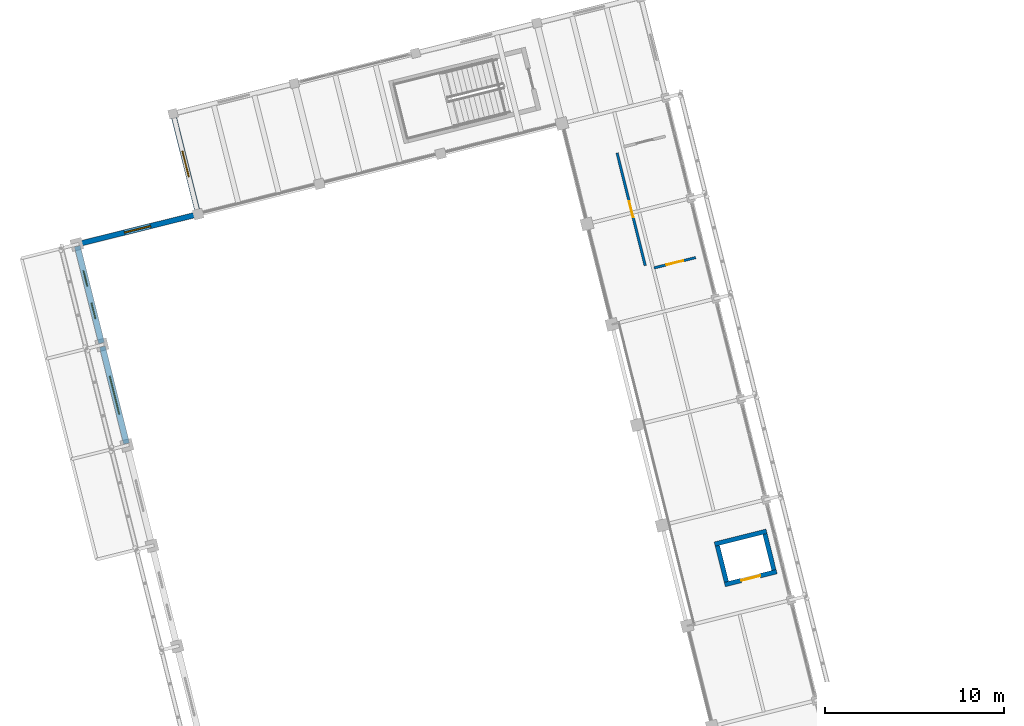
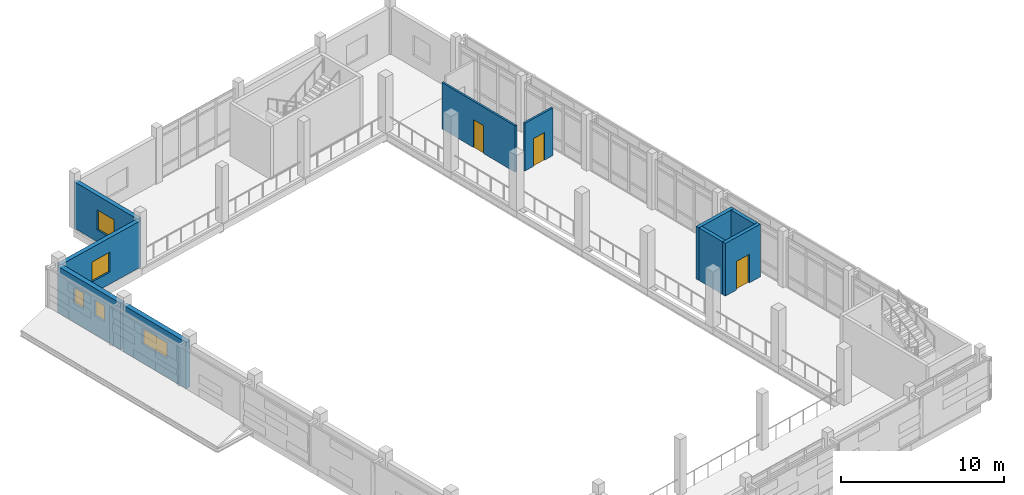
# One storey, part 106 of 137: 10 walls, 5 windows, 3 doors, 8 openings.
"""IFC4 building model written with IfcOpenShell, lengths in metres."""

from ifc_helpers import new_model, si_unit, direction, frame, frame_2d, origin, place, context, subcontext, project, spatial, rectangle, extrude, material, layer, layer_set, type_object, element, fill, save


model = new_model("IFC4")

# Units and contexts
model_context = context("Model", 3, precision=1e-05, world=origin(), true_north=direction((0.0, 1.0)))
body_context = subcontext(model_context, "Body", "Model", "MODEL_VIEW")
ifc_project = project(units=[si_unit("LENGTHUNIT", "METRE"), si_unit("AREAUNIT", "SQUARE_METRE"), si_unit("VOLUMEUNIT", "CUBIC_METRE"), si_unit("PLANEANGLEUNIT", "RADIAN"), si_unit("MASSUNIT", "GRAM", prefix="KILO")], contexts=[model_context])

# Site, building, storey
site_placement = place(None, origin())
site = spatial("IfcSite", under=ifc_project, at=site_placement, CompositionType="ELEMENT")
building_placement = place(site_placement, origin())
building = spatial("IfcBuilding", under=site, at=building_placement, Name="Cinderway Yard Community Centre", CompositionType="ELEMENT")
storey_placement = place(building_placement, frame((0.0, 0.0, 4.800048828125)))
storey = spatial("IfcBuildingStorey", under=building, at=storey_placement, Name="L01", CompositionType="ELEMENT", Elevation=4.800048828125)

# Wall, opening, window
ifc_material_1 = material(Name="Brick Masonry", Category="masonry")
ifc_layer_1 = layer(ifc_material_1, 0.300048828125, Name="Brick Masonry")
ifc_layer_set_1 = layer_set([ifc_layer_1], Name="Brick Masonry")
wall_type_1 = type_object("IfcWallType", Name="ENV-WAL-EXT300", PredefinedType="SOLIDWALL", material=ifc_layer_set_1)
wall_1_placement = place(storey_placement, frame((10.06494140625, 64.530029296875, 0.0), z_axis=(0.0, 0.0, 1.0), x_axis=(0.97027883487, 0.241989633258, 0.0)))
wall_1 = element("IfcWall", 1, at=wall_1_placement, inside=storey, type_object=wall_type_1, Name="Main Hall NW Return ENV-WAL-L01-0030", PredefinedType="SOLIDWALL", context=body_context, shape_type="SweptSolid", body=[
    extrude(rectangle(XDim=6.83935546875, YDim=0.300048828125, at=frame_2d((3.419677734375, 0.0))), origin(), (0.0, 0.0, 1.0), 3.48486328125),
])
opening_1_placement = place(wall_1_placement, frame((2.669921875, 0.0, 0.89990234375)))
opening_1 = element("IfcOpeningElement", 2, at=opening_1_placement, cuts=wall_1, Name="Opening W-02", PredefinedType="OPENING", context=body_context, shape_type="SweptSolid", body=[
    extrude(rectangle(XDim=1.5, YDim=1.5, at=frame_2d((0.75, 0.75))), frame((0.0, 0.159912109375, 0.0), z_axis=(0.0, -1.0, 0.0), x_axis=(1.0, 0.0, 0.0)), (0.0, 0.0, 1.0), 0.320068359375),
])
ifc_material_2 = material(Name="Laminated Low-E Glass", Category="glass")
window_type_1 = type_object("IfcWindowType", Name="ENV-WIN-W02", PartitioningType="DOUBLE_PANEL_VERTICAL", PredefinedType="WINDOW", material=ifc_material_2)
window_1_placement = place(opening_1_placement, origin())
window_1 = element("IfcWindow", 3, at=window_1_placement, inside=storey, type_object=window_type_1, Name="Exterior window ENV-WIN-L01-0015", OverallHeight=1.5, OverallWidth=1.5, PartitioningType="SINGLE_PANEL", PredefinedType="WINDOW", context=body_context, shape_type="SweptSolid", body=[
    extrude(rectangle(XDim=1.5, YDim=1.5, at=frame_2d((0.75, 0.75))), frame((0.0, 0.030029296875, 0.0), z_axis=(0.0, -1.0, 0.0), x_axis=(1.0, 0.0, 0.0)), (0.0, 0.0, 1.0), 0.06005859375),
])
fill(opening_1, window_1)

wall_2_placement = place(storey_placement, frame((16.760009765625, 66.281982421875, 0.0), z_axis=(0.0, 0.0, 1.0), x_axis=(-0.242036480393, 0.970267149892, 0.0)))
wall_2 = element("IfcWall", 4, at=wall_2_placement, inside=storey, type_object=wall_type_1, Name="Stage West Wall ENV-WAL-L01-0031", PredefinedType="SOLIDWALL", context=body_context, shape_type="SweptSolid", body=[
    extrude(rectangle(XDim=5.6396484375, YDim=0.300048828125, at=frame_2d((2.81982421875, 0.0))), origin(), (0.0, 0.0, 1.0), 3.494873046875),
])
opening_2_placement = place(wall_2_placement, frame((2.070068359375, 0.0, 0.89990234375)))
opening_2 = element("IfcOpeningElement", 5, at=opening_2_placement, cuts=wall_2, Name="Opening W-02", PredefinedType="OPENING", context=body_context, shape_type="SweptSolid", body=[
    extrude(rectangle(XDim=1.5, YDim=1.5, at=frame_2d((0.75, 0.75))), frame((0.0, 0.159912109375, 0.0), z_axis=(0.0, -1.0, 0.0), x_axis=(1.0, 0.0, 0.0)), (0.0, 0.0, 1.0), 0.320068359375),
])
window_2_placement = place(opening_2_placement, origin())
window_2 = element("IfcWindow", 6, at=window_2_placement, inside=storey, type_object=window_type_1, Name="Exterior window ENV-WIN-L01-0016", OverallHeight=1.5, OverallWidth=1.5, PartitioningType="SINGLE_PANEL", PredefinedType="WINDOW", context=body_context, shape_type="SweptSolid", body=[
    extrude(rectangle(XDim=1.5, YDim=1.5, at=frame_2d((0.75, 0.75))), frame((0.0, 0.030029296875, 0.0), z_axis=(0.0, -1.0, 0.0), x_axis=(1.0, 0.0, 0.0)), (0.0, 0.0, 1.0), 0.06005859375),
])
fill(opening_2, window_2)

ifc_layer_2 = layer(ifc_material_1, 0.340087890625, Name="Brick Masonry")
ifc_layer_set_2 = layer_set([ifc_layer_2], Name="Brick Masonry")
wall_type_2 = type_object("IfcWallType", Name="ENV-WAL-EXT340", PredefinedType="SOLIDWALL", material=ifc_layer_set_2)
wall_3_placement = place(storey_placement, frame((12.77001953125, 53.35205078125, 0.0), z_axis=(0.0, 0.0, 1.0), x_axis=(-0.241950898373, 0.970288494612, 0.0)))
wall_3 = element("IfcWall", 7, at=wall_3_placement, inside=storey, type_object=wall_type_2, Name="Main Hall West Brick Wall ENV-WAL-L01-0024", PredefinedType="SOLIDWALL", context=body_context, shape_type="SweptSolid", body=[
    extrude(rectangle(XDim=5.600341796875, YDim=0.340087890625, at=frame_2d((2.80029296875, 0.0))), origin(), (0.0, 0.0, 1.0), 3.48486328125),
])
opening_3_placement = place(wall_3_placement, frame((1.699951171875, 0.0, 1.39990234375)))
opening_3 = element("IfcOpeningElement", 8, at=opening_3_placement, cuts=wall_3, Name="Opening W-22", PredefinedType="OPENING", context=body_context, shape_type="SweptSolid", body=[
    extrude(rectangle(XDim=2.199951171875, YDim=1.199951171875, at=frame_2d((1.10009765625, 0.60009765625))), frame((0.0, 0.179931640625, 0.0), z_axis=(0.0, -1.0, 0.0), x_axis=(1.0, 0.0, 0.0)), (0.0, 0.0, 1.0), 0.360107421875),
])
window_type_2 = type_object("IfcWindowType", Name="ENV-WIN-W22", PartitioningType="DOUBLE_PANEL_VERTICAL", PredefinedType="WINDOW", material=ifc_material_2)
window_3_placement = place(opening_3_placement, origin())
window_3 = element("IfcWindow", 9, at=window_3_placement, inside=storey, type_object=window_type_2, Name="Exterior window ENV-WIN-L01-0008", OverallHeight=1.199951171875, OverallWidth=2.199951171875, PartitioningType="SINGLE_PANEL", PredefinedType="WINDOW", context=body_context, shape_type="SweptSolid", body=[
    extrude(rectangle(XDim=2.199951171875, YDim=1.199951171875, at=frame_2d((1.10009765625, 0.60009765625))), frame((0.0, 0.030029296875, 0.0), z_axis=(0.0, -1.0, 0.0), x_axis=(1.0, 0.0, 0.0)), (0.0, 0.0, 1.0), 0.06005859375),
])
fill(opening_3, window_3)

# Wall, openings, windows
wall_4_placement = place(storey_placement, frame((11.365966796875, 58.97998046875, 0.0), z_axis=(0.0, 0.0, 1.0), x_axis=(-0.24177648925, 0.970331968579, 0.0)))
wall_4 = element("IfcWall", 10, at=wall_4_placement, inside=storey, type_object=wall_type_2, Name="Main Hall West Brick Wall ENV-WAL-L01-0025", PredefinedType="SOLIDWALL", context=body_context, shape_type="SweptSolid", body=[
    extrude(rectangle(XDim=5.600341796875, YDim=0.340087890625, at=frame_2d((2.80029296875, 0.0))), origin(), (0.0, 0.0, 1.0), 3.48486328125),
])
opening_4_placement = place(wall_4_placement, frame((1.4169921875, 0.0, 1.39990234375)))
opening_4 = element("IfcOpeningElement", 11, at=opening_4_placement, cuts=wall_4, Name="Opening W-19", PredefinedType="OPENING", context=body_context, shape_type="SweptSolid", body=[
    extrude(rectangle(XDim=0.89990234375, YDim=1.199951171875, at=frame_2d((0.449951171875, 0.60009765625))), frame((0.0, 0.179931640625, 0.0), z_axis=(0.0, -1.0, 0.0), x_axis=(1.0, 0.0, 0.0)), (0.0, 0.0, 1.0), 0.360107421875),
])
opening_5_placement = place(wall_4_placement, frame((3.282958984375, 0.0, 1.39990234375)))
opening_5 = element("IfcOpeningElement", 12, at=opening_5_placement, cuts=wall_4, Name="Opening W-19", PredefinedType="OPENING", context=body_context, shape_type="SweptSolid", body=[
    extrude(rectangle(XDim=0.89990234375, YDim=1.199951171875, at=frame_2d((0.449951171875, 0.60009765625))), frame((0.0, 0.179931640625, 0.0), z_axis=(0.0, -1.0, 0.0), x_axis=(1.0, 0.0, 0.0)), (0.0, 0.0, 1.0), 0.360107421875),
])
window_type_3 = type_object("IfcWindowType", Name="ENV-WIN-W19", PartitioningType="SINGLE_PANEL", PredefinedType="WINDOW", material=ifc_material_2)
window_4_placement = place(opening_4_placement, origin())
window_4 = element("IfcWindow", 13, at=window_4_placement, inside=storey, type_object=window_type_3, Name="Exterior window ENV-WIN-L01-0009", OverallHeight=1.199951171875, OverallWidth=0.89990234375, PartitioningType="SINGLE_PANEL", PredefinedType="WINDOW", context=body_context, shape_type="SweptSolid", body=[
    extrude(rectangle(XDim=0.89990234375, YDim=1.199951171875, at=frame_2d((0.449951171875, 0.60009765625))), frame((0.0, 0.030029296875, 0.0), z_axis=(0.0, -1.0, 0.0), x_axis=(1.0, 0.0, 0.0)), (0.0, 0.0, 1.0), 0.06005859375),
])
fill(opening_4, window_4)
window_5_placement = place(opening_5_placement, origin())
window_5 = element("IfcWindow", 14, at=window_5_placement, inside=storey, type_object=window_type_3, Name="Exterior window ENV-WIN-L01-0010", OverallHeight=1.199951171875, OverallWidth=0.89990234375, PartitioningType="SINGLE_PANEL", PredefinedType="WINDOW", context=body_context, shape_type="SweptSolid", body=[
    extrude(rectangle(XDim=0.89990234375, YDim=1.199951171875, at=frame_2d((0.449951171875, 0.60009765625))), frame((0.0, 0.030029296875, 0.0), z_axis=(0.0, -1.0, 0.0), x_axis=(1.0, 0.0, 0.0)), (0.0, 0.0, 1.0), 0.06005859375),
])
fill(opening_5, window_5)

# Wall, opening, door
ifc_material_3 = material(Name="Gypsum Board Partition", Category="gypsum")
ifc_layer_3 = layer(ifc_material_3, 0.139892578125, Name="Gypsum Board Partition")
ifc_layer_set_3 = layer_set([ifc_layer_3], Name="Gypsum Board Partition")
wall_type_3 = type_object("IfcWallType", Name="INT-WAL-PRT140", PredefinedType="PARTITIONING", material=ifc_layer_set_3)
wall_5_placement = place(storey_placement, frame((41.819091796875, 63.326904296875, 0.0), z_axis=(0.0, 0.0, 1.0), x_axis=(-0.241881495727, 0.970305798202, 0.0)))
wall_5 = element("IfcWall", 15, at=wall_5_placement, inside=storey, type_object=wall_type_3, Name="V1 Upper WC Spine INT-PRT-L01-0243", PredefinedType="PARTITIONING", context=body_context, shape_type="SweptSolid", body=[
    extrude(rectangle(XDim=6.4990234375, YDim=0.139892578125, at=frame_2d((3.24951171875, 0.0))), origin(), (0.0, 0.0, 1.0), 3.48486328125),
])
opening_6_placement = place(wall_5_placement, frame((2.7890625, 0.0, 0.0)))
opening_6 = element("IfcOpeningElement", 16, at=opening_6_placement, cuts=wall_5, Name="Opening D-08", PredefinedType="OPENING", context=body_context, shape_type="SweptSolid", body=[
    extrude(rectangle(XDim=0.919921875, YDim=2.10009765625, at=frame_2d((0.4599609375, 1.050048828125))), frame((0.0, 0.079833984375, 0.0), z_axis=(0.0, -1.0, 0.0), x_axis=(1.0, 0.0, 0.0)), (0.0, 0.0, 1.0), 0.159912109375),
])
ifc_material_4 = material(Name="Hardwood Timber", Category="wood")
door_type_1 = type_object("IfcDoorType", Name="INT-DOR-OFF092", OperationType="NOTDEFINED", PredefinedType="DOOR", material=ifc_material_4)
door_1_placement = place(opening_6_placement, origin())
door_1 = element("IfcDoor", 17, at=door_1_placement, inside=storey, type_object=door_type_1, Name="Room door INT-DOR-L01-0154", OperationType="SINGLE_SWING_RIGHT", OverallHeight=2.10009765625, OverallWidth=0.919921875, PredefinedType="DOOR", context=body_context, shape_type="SweptSolid", body=[
    extrude(rectangle(XDim=0.919921875, YDim=2.10009765625, at=frame_2d((0.4599609375, 1.050048828125))), frame((0.0, 0.02490234375, 0.0), z_axis=(0.0, -1.0, 0.0), x_axis=(1.0, 0.0, 0.0)), (0.0, 0.0, 1.0), 0.050048828125),
])
fill(opening_6, door_1)

wall_6_placement = place(storey_placement, frame((42.31689453125, 63.193115234375, 0.0), z_axis=(0.0, 0.0, 1.0), x_axis=(0.970357603284, 0.24167358513, 0.0)))
wall_6 = element("IfcWall", 18, at=wall_6_placement, inside=storey, type_object=wall_type_3, Name="V1 Gallery Sanitary Partition INT-PRT-L01-0244", PredefinedType="PARTITIONING", context=body_context, shape_type="SweptSolid", body=[
    extrude(rectangle(XDim=2.399169921875, YDim=0.139892578125, at=frame_2d((1.19970703125, 0.0))), origin(), (0.0, 0.0, 1.0), 3.5869140625),
])
opening_7_placement = place(wall_6_placement, frame((0.719970703125, 0.0, 0.0)))
opening_7 = element("IfcOpeningElement", 19, at=opening_7_placement, cuts=wall_6, Name="Opening D-09", PredefinedType="OPENING", context=body_context, shape_type="SweptSolid", body=[
    extrude(rectangle(XDim=0.9599609375, YDim=2.080078125, at=frame_2d((0.47998046875, 1.0400390625))), frame((0.0, 0.079833984375, 0.0), z_axis=(0.0, -1.0, 0.0), x_axis=(1.0, 0.0, 0.0)), (0.0, 0.0, 1.0), 0.159912109375),
])
door_type_2 = type_object("IfcDoorType", Name="INT-DOR-SAN096", OperationType="NOTDEFINED", PredefinedType="DOOR", material=ifc_material_4)
door_2_placement = place(opening_7_placement, origin())
door_2 = element("IfcDoor", 20, at=door_2_placement, inside=storey, type_object=door_type_2, Name="Room door INT-DOR-L01-0155", OperationType="SINGLE_SWING_LEFT", OverallHeight=2.080078125, OverallWidth=0.9599609375, PredefinedType="DOOR", context=body_context, shape_type="SweptSolid", body=[
    extrude(rectangle(XDim=0.9599609375, YDim=2.080078125, at=frame_2d((0.47998046875, 1.0400390625))), frame((0.0, 0.02490234375, 0.0), z_axis=(0.0, -1.0, 0.0), x_axis=(1.0, 0.0, 0.0)), (0.0, 0.0, 1.0), 0.050048828125),
])
fill(opening_7, door_2)

ifc_material_5 = material(Name="Concrete C40/50", Category="concrete")
ifc_layer_4 = layer(ifc_material_5, 0.25, Name="Concrete C40/50")
ifc_layer_set_4 = layer_set([ifc_layer_4], Name="Concrete C40/50")
wall_type_4 = type_object("IfcWallType", Name="INT-WAL-SHR250", PredefinedType="SHEAR", material=ifc_layer_set_4)
wall_7_placement = place(storey_placement, frame((46.27587890625, 45.4541015625, 0.0), z_axis=(0.0, 0.0, 1.0), x_axis=(0.970276420912, 0.241999312028, 0.0)))
wall_7 = element("IfcWall", 21, at=wall_7_placement, inside=storey, type_object=wall_type_4, Name="Lift LF-03 South Wall INT-WAL-L01-0141", PredefinedType="SHEAR", context=body_context, shape_type="SweptSolid", body=[
    extrude(rectangle(XDim=2.999267578125, YDim=0.25, at=frame_2d((1.49951171875, 0.0))), origin(), (0.0, 0.0, 1.0), 3.9599609375),
])
opening_8_placement = place(wall_7_placement, frame((0.949951171875, 0.0, 0.0)))
opening_8 = element("IfcOpeningElement", 22, at=opening_8_placement, cuts=wall_7, Name="Opening LD-01", PredefinedType="OPENING", context=body_context, shape_type="SweptSolid", body=[
    extrude(rectangle(XDim=1.10009765625, YDim=2.14990234375, at=frame_2d((0.550048828125, 1.074951171875))), frame((0.0, 0.135009765625, 0.0), z_axis=(0.0, -1.0, 0.0), x_axis=(1.0, 0.0, 0.0)), (0.0, 0.0, 1.0), 0.27001953125),
])
ifc_material_6 = material(Name="Painted Galvanised Steel", Category="steel")
door_type_3 = type_object("IfcDoorType", Name="INT-DOR-LD01", OperationType="SLIDING_TO_LEFT", PredefinedType="DOOR", material=ifc_material_6)
door_3_placement = place(opening_8_placement, origin())
door_3 = element("IfcDoor", 23, at=door_3_placement, inside=storey, type_object=door_type_3, Name="Lift landing door INT-DOR-L01-0039", OperationType="SLIDING_TO_LEFT", OverallHeight=2.14990234375, OverallWidth=1.10009765625, PredefinedType="DOOR", context=body_context, shape_type="SweptSolid", body=[
    extrude(rectangle(XDim=1.10009765625, YDim=2.14990234375, at=frame_2d((0.550048828125, 1.074951171875))), frame((0.0, 0.02490234375, 0.0), z_axis=(0.0, -1.0, 0.0), x_axis=(1.0, 0.0, 0.0)), (0.0, 0.0, 1.0), 0.050048828125),
])
fill(opening_8, door_3)

# Walls
wall_8_placement = place(storey_placement, frame((48.6201171875, 48.449951171875, 0.0), z_axis=(0.0, 0.0, 1.0), x_axis=(-0.970276420912, -0.241999312028, 0.0)))
element("IfcWall", 24, at=wall_8_placement, inside=storey, type_object=wall_type_4, Name="Lift LF-03 North Wall INT-WAL-L01-0142", PredefinedType="SHEAR", context=body_context, shape_type="SweptSolid", body=[
    extrude(rectangle(XDim=2.999267578125, YDim=0.25, at=frame_2d((1.49951171875, 0.0))), origin(), (0.0, 0.0, 1.0), 3.9599609375),
])
wall_9_placement = place(storey_placement, frame((49.029052734375, 46.27392578125, 0.0), z_axis=(0.0, 0.0, 1.0), x_axis=(-0.241817773214, 0.970321680969, 0.0)))
element("IfcWall", 25, at=wall_9_placement, inside=storey, type_object=wall_type_4, Name="Lift LF-03 East Wall INT-WAL-L01-0143", PredefinedType="SHEAR", context=body_context, shape_type="SweptSolid", body=[
    extrude(rectangle(XDim=2.080810546875, YDim=0.25, at=frame_2d((1.04052734375, 0.0))), origin(), (0.0, 0.0, 1.0), 3.9599609375),
])
wall_10_placement = place(storey_placement, frame((45.866943359375, 47.6298828125, 0.0), z_axis=(0.0, 0.0, 1.0), x_axis=(0.241845306756, -0.970314818809, 0.0)))
element("IfcWall", 26, at=wall_10_placement, inside=storey, type_object=wall_type_4, Name="Lift LF-03 West Wall INT-WAL-L01-0144", PredefinedType="SHEAR", context=body_context, shape_type="SweptSolid", body=[
    extrude(rectangle(XDim=2.08056640625, YDim=0.25, at=frame_2d((1.040283203125, 0.0))), origin(), (0.0, 0.0, 1.0), 3.9599609375),
])

save(model, "model.ifc")
